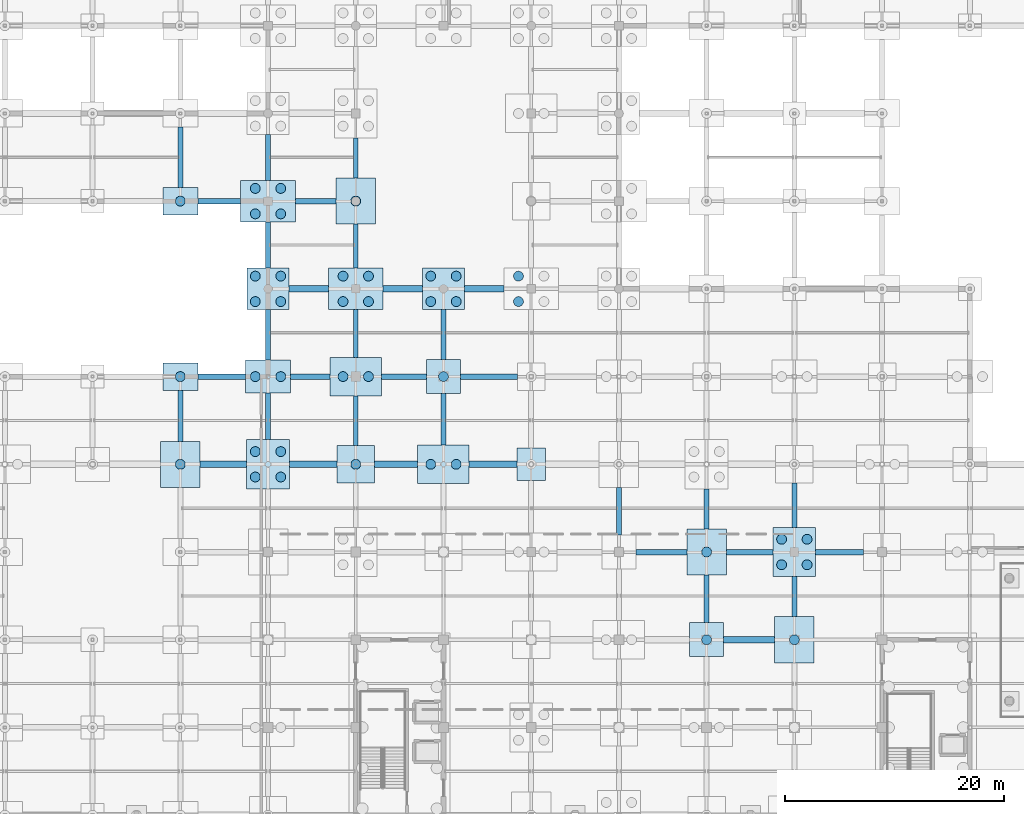
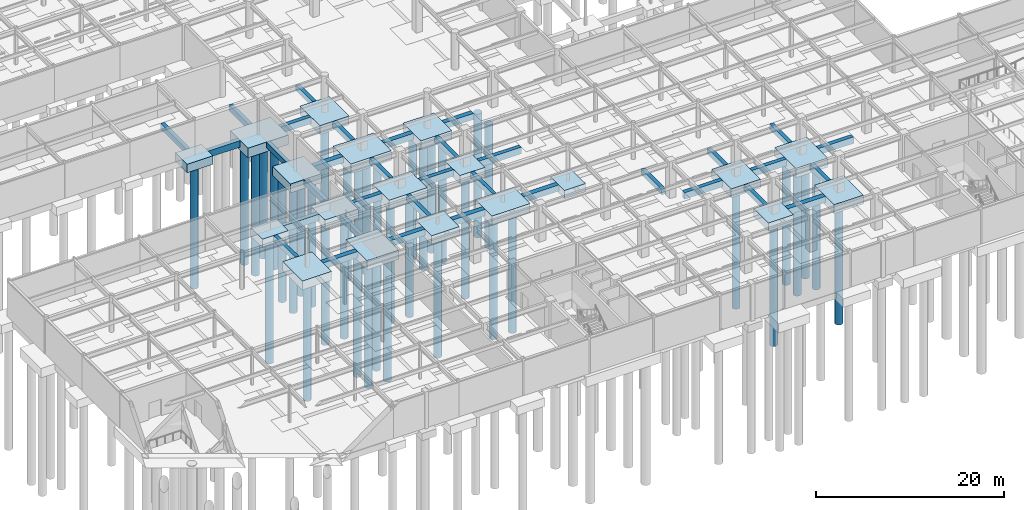
# One storey, part 3 of 105: 53 footings, 41 piles.
"""IFC4 building model written with IfcOpenShell, lengths in metres."""

from ifc_helpers import new_model, si_unit, direction, frame, origin, origin_2d, place, context, subcontext, project, spatial, rectangle, circle, extrude, material, material_profile, profile_set, type_object, element, save


model = new_model("IFC4")

# Units and contexts
model_context = context("Model", 3, precision=1e-05, world=origin(), true_north=direction((0.0, 1.0)))
body_context = subcontext(model_context, "Body", "Model", "MODEL_VIEW")
ifc_project = project(units=[si_unit("LENGTHUNIT", "METRE"), si_unit("AREAUNIT", "SQUARE_METRE"), si_unit("VOLUMEUNIT", "CUBIC_METRE"), si_unit("PLANEANGLEUNIT", "RADIAN"), si_unit("MASSUNIT", "GRAM", prefix="KILO")], contexts=[model_context])

# Site, building, storey
site_placement = place(None, origin())
site = spatial("IfcSite", under=ifc_project, at=site_placement, CompositionType="ELEMENT")
building_placement = place(site_placement, origin())
building = spatial("IfcBuilding", under=site, at=building_placement, Name="Solmirada Galleria", CompositionType="ELEMENT")
storey_placement = place(building_placement, frame((0.0, 0.0, -4.800048828125)))
storey = spatial("IfcBuildingStorey", under=building, at=storey_placement, Name="B1", CompositionType="ELEMENT", Elevation=-4.800048828125)

# Footings
ifc_material_1 = material(Name="Concrete C35/45", Category="concrete")
footing_type_1 = type_object("IfcFootingType", Name="PC-04", PredefinedType="PILE_CAP", material=ifc_material_1)
footing_1_placement = place(storey_placement, frame((88.0, 32.0, -1.10009765625), z_axis=(0.0, 0.0, 1.0), x_axis=(1.0, 0.0, 0.0)))
element("IfcFooting", 1, at=footing_1_placement, inside=storey, type_object=footing_type_1, Name="Pile cap at (88.0, 32.0)", PredefinedType="PILE_CAP", context=body_context, shape_type="SweptSolid", body=[
    extrude(rectangle(XDim=3.39990234375, YDim=3.39990234375, at=origin_2d()), origin(), (0.0, 0.0, 1.0), 1.10009765625),
])
footing_type_2 = type_object("IfcFootingType", Name="PC-05", PredefinedType="PILE_CAP", material=ifc_material_1)
for number, where, z_axis, x_axis, name in (
    (2, (80.0, 48.0, -1.14990234375), (0.0, 0.0, 1.0), (1.0, 0.0, 0.0), "Pile cap at (80.0, 48.0)"),
    (3, (96.0, 48.0, -1.14990234375), (0.0, 0.0, 1.0), (1.0, 0.0, 0.0), "Pile cap at (96.0, 48.0)"),
):
    element("IfcFooting", number, at=place(storey_placement, frame(where, z_axis=z_axis, x_axis=x_axis)), inside=storey, type_object=footing_type_2, Name=name, PredefinedType="PILE_CAP", context=body_context, shape_type="SweptSolid", body=[
        extrude(rectangle(XDim=3.800048828125, YDim=3.800048828125, at=origin_2d()), origin(), (0.0, 0.0, 1.0), 1.14990234375),
    ])
footing_type_3 = type_object("IfcFootingType", Name="PC-06", PredefinedType="PILE_CAP", material=ifc_material_1)
footing_2_placement = place(storey_placement, frame((80.0, 40.0, -1.14990234375), z_axis=(0.0, 0.0, 1.0), x_axis=(1.0, 0.0, 0.0)))
element("IfcFooting", 4, at=footing_2_placement, inside=storey, type_object=footing_type_3, Name="Pile cap at (80.0, 40.0)", PredefinedType="PILE_CAP", context=body_context, shape_type="SweptSolid", body=[
    extrude(rectangle(XDim=4.10009765625, YDim=3.0, at=origin_2d()), origin(), (0.0, 0.0, 1.0), 1.14990234375),
])
footing_type_4 = type_object("IfcFootingType", Name="PC-08", PredefinedType="PILE_CAP", material=ifc_material_1)
for number, where, z_axis, x_axis, name in (
    (5, (88.0, 40.0, -1.19970703125), (0.0, 0.0, 1.0), (1.0, 0.0, 0.0), "Pile cap at (88.0, 40.0)"),
    (6, (96.0, 32.0, -1.19970703125), (0.0, 0.0, 1.0), (1.0, 0.0, 0.0), "Pile cap at (96.0, 32.0)"),
):
    element("IfcFooting", number, at=place(storey_placement, frame(where, z_axis=z_axis, x_axis=x_axis)), inside=storey, type_object=footing_type_4, Name=name, PredefinedType="PILE_CAP", context=body_context, shape_type="SweptSolid", body=[
        extrude(rectangle(XDim=4.699951171875, YDim=3.5, at=origin_2d()), origin(), (0.0, 0.0, 1.0), 1.199951171875),
    ])
footing_type_5 = type_object("IfcFootingType", Name="PC-09", PredefinedType="PILE_CAP", material=ifc_material_1)
for number, where, z_axis, x_axis, name in (
    (7, (80.0, 56.0, -1.25), (0.0, 0.0, 1.0), (1.0, 0.0, 0.0), "Pile cap at (80.0, 56.0)"),
    (8, (88.0, 48.0, -1.25), (0.0, 0.0, 1.0), (1.0, 0.0, 0.0), "Pile cap at (88.0, 48.0)"),
):
    element("IfcFooting", number, at=place(storey_placement, frame(where, z_axis=z_axis, x_axis=x_axis)), inside=storey, type_object=footing_type_5, Name=name, PredefinedType="PILE_CAP", context=body_context, shape_type="SweptSolid", body=[
        extrude(rectangle(XDim=5.0, YDim=3.800048828125, at=origin_2d()), origin(), (0.0, 0.0, 1.0), 1.25),
    ])
footing_type_6 = type_object("IfcFootingType", Name="PC-10", PredefinedType="PILE_CAP", material=ifc_material_1)
for number, where, z_axis, x_axis, name in (
    (9, (72.0, 40.0, -1.10009765625), (0.0, 0.0, 1.0), (1.0, 0.0, 0.0), "Pile cap at (72.0, 40.0)"),
    (10, (72.0, 56.0, -1.10009765625), (0.0, 0.0, 1.0), (1.0, 0.0, 0.0), "Pile cap at (72.0, 56.0)"),
):
    element("IfcFooting", number, at=place(storey_placement, frame(where, z_axis=z_axis, x_axis=x_axis)), inside=storey, type_object=footing_type_6, Name=name, PredefinedType="PILE_CAP", context=body_context, shape_type="SweptSolid", body=[
        extrude(rectangle(XDim=3.199951171875, YDim=2.5, at=origin_2d()), origin(), (0.0, 0.0, 1.0), 1.10009765625),
    ])
footing_type_7 = type_object("IfcFootingType", Name="PC-20", PredefinedType="PILE_CAP", material=ifc_material_1)
for number, where, z_axis, x_axis, name in (
    (11, (96.0, 40.0, -1.0498046875), (0.0, 0.0, 1.0), (1.0, 0.0, 0.0), "Pile cap at (96.0, 40.0)"),
    (12, (120.0, 16.0, -1.0498046875), (0.0, 0.0, 1.0), (1.0, 0.0, 0.0), "Pile cap at (120.0, 16.0)"),
):
    element("IfcFooting", number, at=place(storey_placement, frame(where, z_axis=z_axis, x_axis=x_axis)), inside=storey, type_object=footing_type_7, Name=name, PredefinedType="PILE_CAP", context=body_context, shape_type="SweptSolid", body=[
        extrude(rectangle(XDim=3.10009765625, YDim=3.10009765625, at=origin_2d()), origin(), (0.0, 0.0, 1.0), 1.050048828125),
    ])
footing_type_8 = type_object("IfcFootingType", Name="PC-22", PredefinedType="PILE_CAP", material=ifc_material_1)
footing_3_placement = place(storey_placement, frame((104.0, 32.0, -1.0498046875), z_axis=(0.0, 0.0, 1.0), x_axis=(1.0, 0.0, 0.0)))
element("IfcFooting", 13, at=footing_3_placement, inside=storey, type_object=footing_type_8, Name="Pile cap at (104.0, 32.0)", PredefinedType="PILE_CAP", context=body_context, shape_type="SweptSolid", body=[
    extrude(rectangle(XDim=2.60009765625, YDim=3.0, at=origin_2d()), origin(), (0.0, 0.0, 1.0), 1.050048828125),
])
footing_type_9 = type_object("IfcFootingType", Name="PC-25", PredefinedType="PILE_CAP", material=ifc_material_1)
for number, where, z_axis, x_axis, name in (
    (14, (72.0, 32.0, -1.14990234375), (0.0, 0.0, 1.0), (1.0, 0.0, 0.0), "Pile cap at (72.0, 32.0)"),
    (15, (88.0, 56.0, -1.14990234375), (0.0, 0.0, 1.0), (1.0, 0.0, 0.0), "Pile cap at (88.0, 56.0)"),
    (16, (120.0, 24.0, -1.14990234375), (0.0, 0.0, 1.0), (1.0, 0.0, 0.0), "Pile cap at (120.0, 24.0)"),
    (17, (128.0, 16.0, -1.14990234375), (0.0, 0.0, 1.0), (1.0, 0.0, 0.0), "Pile cap at (128.0, 16.0)"),
):
    element("IfcFooting", number, at=place(storey_placement, frame(where, z_axis=z_axis, x_axis=x_axis)), inside=storey, type_object=footing_type_9, Name=name, PredefinedType="PILE_CAP", context=body_context, shape_type="SweptSolid", body=[
        extrude(rectangle(XDim=3.60009765625, YDim=4.199951171875, at=origin_2d()), origin(), (0.0, 0.0, 1.0), 1.14990234375),
    ])
footing_type_10 = type_object("IfcFootingType", Name="PC-26", PredefinedType="PILE_CAP", material=ifc_material_1)
for number, where, z_axis, x_axis, name in (
    (18, (80.0, 32.0, -1.19970703125), (0.0, 0.0, 1.0), (1.0, 0.0, 0.0), "Pile cap at (80.0, 32.0)"),
    (19, (128.0, 24.0, -1.19970703125), (0.0, 0.0, 1.0), (1.0, 0.0, 0.0), "Pile cap at (128.0, 24.0)"),
):
    element("IfcFooting", number, at=place(storey_placement, frame(where, z_axis=z_axis, x_axis=x_axis)), inside=storey, type_object=footing_type_10, Name=name, PredefinedType="PILE_CAP", context=body_context, shape_type="SweptSolid", body=[
        extrude(rectangle(XDim=3.89990234375, YDim=4.5, at=origin_2d()), origin(), (0.0, 0.0, 1.0), 1.199951171875),
    ])

# Piles
ifc_material_2 = material(Name="Concrete C40/50", Category="concrete")
ifc_material_profile_1 = material_profile(ifc_material_2, circle(Radius=0.449951171875, at=origin_2d()), Name="PILE900")
ifc_profile_set_1 = profile_set([ifc_material_profile_1], Name="Concrete C40/50")
pile_type = type_object("IfcPileType", Name="PILE-900", PredefinedType="BORED", material=ifc_profile_set_1)
pile_1_placement = place(storey_placement, frame((72.0, 32.0, -1.050048828125), z_axis=(0.0, 0.0, -1.0), x_axis=(1.0, 0.0, 0.0)))
element("IfcPile", 20, at=pile_1_placement, inside=storey, type_object=pile_type, Name="Bored pile at (72.00, 32.00)", PredefinedType="BORED", context=body_context, shape_type="SweptSolid", body=[
    extrude(circle(Radius=0.449951171875, at=origin_2d()), origin(), (0.0, 0.0, 1.0), 16.14990234375),
])
for number, where, z_axis, x_axis, name in (
    (21, (72.0, 40.0, -1.0), (0.0, 0.0, -1.0), (1.0, 0.0, 0.0), "Bored pile at (72.00, 40.00)"),
    (22, (72.0, 56.0, -1.0), (0.0, 0.0, -1.0), (1.0, 0.0, 0.0), "Bored pile at (72.00, 56.00)"),
):
    element("IfcPile", number, at=place(storey_placement, frame(where, z_axis=z_axis, x_axis=x_axis)), inside=storey, type_object=pile_type, Name=name, PredefinedType="BORED", context=body_context, shape_type="SweptSolid", body=[
        extrude(circle(Radius=0.449951171875, at=origin_2d()), origin(), (0.0, 0.0, 1.0), 16.199951171875),
    ])
for number, where, z_axis, x_axis, name in (
    (23, (78.840087890625, 30.840087890625, -1.099853515625), (0.0, 0.0, -1.0), (1.0, 0.0, 0.0), "Bored pile at (78.84, 30.84)"),
    (24, (81.159912109375, 30.840087890625, -1.099853515625), (0.0, 0.0, -1.0), (1.0, 0.0, 0.0), "Bored pile at (81.16, 30.84)"),
    (25, (78.840087890625, 33.159912109375, -1.099853515625), (0.0, 0.0, -1.0), (1.0, 0.0, 0.0), "Bored pile at (78.84, 33.16)"),
    (26, (81.159912109375, 33.159912109375, -1.099853515625), (0.0, 0.0, -1.0), (1.0, 0.0, 0.0), "Bored pile at (81.16, 33.16)"),
):
    element("IfcPile", number, at=place(storey_placement, frame(where, z_axis=z_axis, x_axis=x_axis)), inside=storey, type_object=pile_type, Name=name, PredefinedType="BORED", context=body_context, shape_type="SweptSolid", body=[
        extrude(circle(Radius=0.449951171875, at=origin_2d()), origin(), (0.0, 0.0, 1.0), 16.10009765625),
    ])
for number, where, z_axis, x_axis, name in (
    (27, (78.840087890625, 40.0, -1.050048828125), (0.0, 0.0, -1.0), (1.0, 0.0, 0.0), "Bored pile at (78.84, 40.00)"),
    (28, (81.159912109375, 40.0, -1.050048828125), (0.0, 0.0, -1.0), (1.0, 0.0, 0.0), "Bored pile at (81.16, 40.00)"),
    (29, (78.840087890625, 46.840087890625, -1.050048828125), (0.0, 0.0, -1.0), (1.0, 0.0, 0.0), "Bored pile at (78.84, 46.84)"),
    (30, (81.159912109375, 46.840087890625, -1.050048828125), (0.0, 0.0, -1.0), (1.0, 0.0, 0.0), "Bored pile at (81.16, 46.84)"),
    (31, (78.840087890625, 49.159912109375, -1.050048828125), (0.0, 0.0, -1.0), (1.0, 0.0, 0.0), "Bored pile at (78.84, 49.16)"),
    (32, (81.159912109375, 49.159912109375, -1.050048828125), (0.0, 0.0, -1.0), (1.0, 0.0, 0.0), "Bored pile at (81.16, 49.16)"),
):
    element("IfcPile", number, at=place(storey_placement, frame(where, z_axis=z_axis, x_axis=x_axis)), inside=storey, type_object=pile_type, Name=name, PredefinedType="BORED", context=body_context, shape_type="SweptSolid", body=[
        extrude(circle(Radius=0.449951171875, at=origin_2d()), origin(), (0.0, 0.0, 1.0), 16.14990234375),
    ])
for number, where, z_axis, x_axis, name in (
    (33, (78.840087890625, 54.840087890625, -1.14990234375), (0.0, 0.0, -1.0), (1.0, 0.0, 0.0), "Bored pile at (78.84, 54.84)"),
    (34, (81.159912109375, 54.840087890625, -1.14990234375), (0.0, 0.0, -1.0), (1.0, 0.0, 0.0), "Bored pile at (81.16, 54.84)"),
    (35, (78.840087890625, 57.159912109375, -1.14990234375), (0.0, 0.0, -1.0), (1.0, 0.0, 0.0), "Bored pile at (78.84, 57.16)"),
    (36, (81.159912109375, 57.159912109375, -1.14990234375), (0.0, 0.0, -1.0), (1.0, 0.0, 0.0), "Bored pile at (81.16, 57.16)"),
):
    element("IfcPile", number, at=place(storey_placement, frame(where, z_axis=z_axis, x_axis=x_axis)), inside=storey, type_object=pile_type, Name=name, PredefinedType="BORED", context=body_context, shape_type="SweptSolid", body=[
        extrude(circle(Radius=0.449951171875, at=origin_2d()), origin(), (0.0, 0.0, 1.0), 16.050048828125),
    ])
pile_2_placement = place(storey_placement, frame((88.0, 32.0, -1.0), z_axis=(0.0, 0.0, -1.0), x_axis=(1.0, 0.0, 0.0)))
element("IfcPile", 37, at=pile_2_placement, inside=storey, type_object=pile_type, Name="Bored pile at (88.00, 32.00)", PredefinedType="BORED", context=body_context, shape_type="SweptSolid", body=[
    extrude(circle(Radius=0.449951171875, at=origin_2d()), origin(), (0.0, 0.0, 1.0), 16.199951171875),
])
for number, where, z_axis, x_axis, name in (
    (38, (86.840087890625, 40.0, -1.099853515625), (0.0, 0.0, -1.0), (1.0, 0.0, 0.0), "Bored pile at (86.84, 40.00)"),
    (39, (89.159912109375, 40.0, -1.099853515625), (0.0, 0.0, -1.0), (1.0, 0.0, 0.0), "Bored pile at (89.16, 40.00)"),
):
    element("IfcPile", number, at=place(storey_placement, frame(where, z_axis=z_axis, x_axis=x_axis)), inside=storey, type_object=pile_type, Name=name, PredefinedType="BORED", context=body_context, shape_type="SweptSolid", body=[
        extrude(circle(Radius=0.449951171875, at=origin_2d()), origin(), (0.0, 0.0, 1.0), 16.10009765625),
    ])
for number, where, z_axis, x_axis, name in (
    (40, (86.840087890625, 46.840087890625, -1.14990234375), (0.0, 0.0, -1.0), (1.0, 0.0, 0.0), "Bored pile at (86.84, 46.84)"),
    (41, (89.159912109375, 46.840087890625, -1.14990234375), (0.0, 0.0, -1.0), (1.0, 0.0, 0.0), "Bored pile at (89.16, 46.84)"),
    (42, (86.840087890625, 49.159912109375, -1.14990234375), (0.0, 0.0, -1.0), (1.0, 0.0, 0.0), "Bored pile at (86.84, 49.16)"),
    (43, (89.159912109375, 49.159912109375, -1.14990234375), (0.0, 0.0, -1.0), (1.0, 0.0, 0.0), "Bored pile at (89.16, 49.16)"),
):
    element("IfcPile", number, at=place(storey_placement, frame(where, z_axis=z_axis, x_axis=x_axis)), inside=storey, type_object=pile_type, Name=name, PredefinedType="BORED", context=body_context, shape_type="SweptSolid", body=[
        extrude(circle(Radius=0.449951171875, at=origin_2d()), origin(), (0.0, 0.0, 1.0), 16.050048828125),
    ])
pile_3_placement = place(storey_placement, frame((88.0, 56.0, -1.050048828125), z_axis=(0.0, 0.0, -1.0), x_axis=(1.0, 0.0, 0.0)))
element("IfcPile", 44, at=pile_3_placement, inside=storey, type_object=pile_type, Name="Bored pile at (88.00, 56.00)", PredefinedType="BORED", context=body_context, shape_type="SweptSolid", body=[
    extrude(circle(Radius=0.449951171875, at=origin_2d()), origin(), (0.0, 0.0, 1.0), 16.14990234375),
])
for number, where, z_axis, x_axis, name in (
    (45, (94.840087890625, 32.0, -1.099853515625), (0.0, 0.0, -1.0), (1.0, 0.0, 0.0), "Bored pile at (94.84, 32.00)"),
    (46, (97.159912109375, 32.0, -1.099853515625), (0.0, 0.0, -1.0), (1.0, 0.0, 0.0), "Bored pile at (97.16, 32.00)"),
):
    element("IfcPile", number, at=place(storey_placement, frame(where, z_axis=z_axis, x_axis=x_axis)), inside=storey, type_object=pile_type, Name=name, PredefinedType="BORED", context=body_context, shape_type="SweptSolid", body=[
        extrude(circle(Radius=0.449951171875, at=origin_2d()), origin(), (0.0, 0.0, 1.0), 16.10009765625),
    ])
pile_4_placement = place(storey_placement, frame((96.0, 40.0, -0.949951171875), z_axis=(0.0, 0.0, -1.0), x_axis=(1.0, 0.0, 0.0)))
element("IfcPile", 47, at=pile_4_placement, inside=storey, type_object=pile_type, Name="Bored pile at (96.00, 40.00)", PredefinedType="BORED", context=body_context, shape_type="SweptSolid", body=[
    extrude(circle(Radius=0.449951171875, at=origin_2d()), origin(), (0.0, 0.0, 1.0), 16.25),
])
for number, where, z_axis, x_axis, name in (
    (48, (94.840087890625, 46.840087890625, -1.050048828125), (0.0, 0.0, -1.0), (1.0, 0.0, 0.0), "Bored pile at (94.84, 46.84)"),
    (49, (97.159912109375, 46.840087890625, -1.050048828125), (0.0, 0.0, -1.0), (1.0, 0.0, 0.0), "Bored pile at (97.16, 46.84)"),
    (50, (94.840087890625, 49.159912109375, -1.050048828125), (0.0, 0.0, -1.0), (1.0, 0.0, 0.0), "Bored pile at (94.84, 49.16)"),
    (51, (97.159912109375, 49.159912109375, -1.050048828125), (0.0, 0.0, -1.0), (1.0, 0.0, 0.0), "Bored pile at (97.16, 49.16)"),
):
    element("IfcPile", number, at=place(storey_placement, frame(where, z_axis=z_axis, x_axis=x_axis)), inside=storey, type_object=pile_type, Name=name, PredefinedType="BORED", context=body_context, shape_type="SweptSolid", body=[
        extrude(circle(Radius=0.449951171875, at=origin_2d()), origin(), (0.0, 0.0, 1.0), 16.14990234375),
    ])
for number, where, z_axis, x_axis, name in (
    (52, (102.840087890625, 46.840087890625, -1.14990234375), (0.0, 0.0, -1.0), (1.0, 0.0, 0.0), "Bored pile at (102.84, 46.84)"),
    (53, (102.840087890625, 49.159912109375, -1.14990234375), (0.0, 0.0, -1.0), (1.0, 0.0, 0.0), "Bored pile at (102.84, 49.16)"),
):
    element("IfcPile", number, at=place(storey_placement, frame(where, z_axis=z_axis, x_axis=x_axis)), inside=storey, type_object=pile_type, Name=name, PredefinedType="BORED", context=body_context, shape_type="SweptSolid", body=[
        extrude(circle(Radius=0.449951171875, at=origin_2d()), origin(), (0.0, 0.0, 1.0), 16.050048828125),
    ])
pile_5_placement = place(storey_placement, frame((120.0, 16.0, -0.949951171875), z_axis=(0.0, 0.0, -1.0), x_axis=(1.0, 0.0, 0.0)))
element("IfcPile", 54, at=pile_5_placement, inside=storey, type_object=pile_type, Name="Bored pile at (120.00, 16.00)", PredefinedType="BORED", context=body_context, shape_type="SweptSolid", body=[
    extrude(circle(Radius=0.449951171875, at=origin_2d()), origin(), (0.0, 0.0, 1.0), 16.25),
])
for number, where, z_axis, x_axis, name in (
    (55, (120.0, 24.0, -1.050048828125), (0.0, 0.0, -1.0), (1.0, 0.0, 0.0), "Bored pile at (120.00, 24.00)"),
    (56, (128.0, 16.0, -1.050048828125), (0.0, 0.0, -1.0), (1.0, 0.0, 0.0), "Bored pile at (128.00, 16.00)"),
):
    element("IfcPile", number, at=place(storey_placement, frame(where, z_axis=z_axis, x_axis=x_axis)), inside=storey, type_object=pile_type, Name=name, PredefinedType="BORED", context=body_context, shape_type="SweptSolid", body=[
        extrude(circle(Radius=0.449951171875, at=origin_2d()), origin(), (0.0, 0.0, 1.0), 16.14990234375),
    ])
for number, where, z_axis, x_axis, name in (
    (57, (126.840087890625, 22.840087890625, -1.099853515625), (0.0, 0.0, -1.0), (1.0, 0.0, 0.0), "Bored pile at (126.84, 22.84)"),
    (58, (129.159912109375, 22.840087890625, -1.099853515625), (0.0, 0.0, -1.0), (1.0, 0.0, 0.0), "Bored pile at (129.16, 22.84)"),
    (59, (126.840087890625, 25.159912109375, -1.099853515625), (0.0, 0.0, -1.0), (1.0, 0.0, 0.0), "Bored pile at (126.84, 25.16)"),
    (60, (129.159912109375, 25.159912109375, -1.099853515625), (0.0, 0.0, -1.0), (1.0, 0.0, 0.0), "Bored pile at (129.16, 25.16)"),
):
    element("IfcPile", number, at=place(storey_placement, frame(where, z_axis=z_axis, x_axis=x_axis)), inside=storey, type_object=pile_type, Name=name, PredefinedType="BORED", context=body_context, shape_type="SweptSolid", body=[
        extrude(circle(Radius=0.449951171875, at=origin_2d()), origin(), (0.0, 0.0, 1.0), 16.10009765625),
    ])

# Footings
ifc_material_profile_2 = material_profile(ifc_material_1, rectangle(XDim=0.449951171875, YDim=0.75, at=origin_2d()), Name="RC750X450")
ifc_profile_set_2 = profile_set([ifc_material_profile_2], Name="Concrete C35/45")
footing_type_11 = type_object("IfcFootingType", Name="TB-750X450", PredefinedType="FOOTING_BEAM", material=ifc_profile_set_2)
footing_4_placement = place(storey_placement, frame((72.0, 34.10009765625, -0.375), z_axis=(0.0, 1.0, 0.0), x_axis=(-1.0, 0.0, 0.0)))
element("IfcFooting", 61, at=footing_4_placement, inside=storey, type_object=footing_type_11, Name="Foundation tie beam Y (72, 32..40)", PredefinedType="FOOTING_BEAM", context=body_context, shape_type="SweptSolid", body=[
    extrude(rectangle(XDim=0.449951171875, YDim=0.75, at=origin_2d()), origin(), (0.0, 0.0, 1.0), 4.64990234375),
])
footing_5_placement = place(storey_placement, frame((72.0, 57.25, -0.375), z_axis=(0.0, 1.0, 0.0), x_axis=(-1.0, 0.0, 0.0)))
element("IfcFooting", 62, at=footing_5_placement, inside=storey, type_object=footing_type_11, Name="Foundation tie beam Y (72, 56..64)", PredefinedType="FOOTING_BEAM", context=body_context, shape_type="SweptSolid", body=[
    extrude(rectangle(XDim=0.449951171875, YDim=0.75, at=origin_2d()), origin(), (0.0, 0.0, 1.0), 5.5),
])
footing_6_placement = place(storey_placement, frame((80.0, 34.25, -0.375), z_axis=(0.0, 1.0, 0.0), x_axis=(-1.0, 0.0, 0.0)))
element("IfcFooting", 63, at=footing_6_placement, inside=storey, type_object=footing_type_11, Name="Foundation tie beam Y (80, 32..40)", PredefinedType="FOOTING_BEAM", context=body_context, shape_type="SweptSolid", body=[
    extrude(rectangle(XDim=0.449951171875, YDim=0.75, at=origin_2d()), origin(), (0.0, 0.0, 1.0), 4.25),
])
footing_7_placement = place(storey_placement, frame((80.0, 41.5, -0.375), z_axis=(0.0, 1.0, 0.0), x_axis=(-1.0, 0.0, 0.0)))
element("IfcFooting", 64, at=footing_7_placement, inside=storey, type_object=footing_type_11, Name="Foundation tie beam Y (80, 40..48)", PredefinedType="FOOTING_BEAM", context=body_context, shape_type="SweptSolid", body=[
    extrude(rectangle(XDim=0.449951171875, YDim=0.75, at=origin_2d()), origin(), (0.0, 0.0, 1.0), 4.60009765625),
])
for number, where, z_axis, x_axis, name in (
    (65, (80.0, 49.89990234375, -0.375), (0.0, 1.0, 0.0), (-1.0, 0.0, 0.0), "Foundation tie beam Y (80, 48..56)"),
    (66, (80.0, 57.89990234375, -0.375), (0.0, 1.0, 0.0), (-1.0, 0.0, 0.0), "Foundation tie beam Y (80, 56..64)"),
):
    element("IfcFooting", number, at=place(storey_placement, frame(where, z_axis=z_axis, x_axis=x_axis)), inside=storey, type_object=footing_type_11, Name=name, PredefinedType="FOOTING_BEAM", context=body_context, shape_type="SweptSolid", body=[
        extrude(rectangle(XDim=0.449951171875, YDim=0.75, at=origin_2d()), origin(), (0.0, 0.0, 1.0), 4.2001953125),
    ])
footing_8_placement = place(storey_placement, frame((88.0, 33.699951171875, -0.375), z_axis=(0.0, 1.0, 0.0), x_axis=(-1.0, 0.0, 0.0)))
element("IfcFooting", 67, at=footing_8_placement, inside=storey, type_object=footing_type_11, Name="Foundation tie beam Y (88, 32..40)", PredefinedType="FOOTING_BEAM", context=body_context, shape_type="SweptSolid", body=[
    extrude(rectangle(XDim=0.449951171875, YDim=0.75, at=origin_2d()), origin(), (0.0, 0.0, 1.0), 4.550048828125),
])
footing_9_placement = place(storey_placement, frame((88.0, 41.75, -0.375), z_axis=(0.0, 1.0, 0.0), x_axis=(-1.0, 0.0, 0.0)))
element("IfcFooting", 68, at=footing_9_placement, inside=storey, type_object=footing_type_11, Name="Foundation tie beam Y (88, 40..48)", PredefinedType="FOOTING_BEAM", context=body_context, shape_type="SweptSolid", body=[
    extrude(rectangle(XDim=0.449951171875, YDim=0.75, at=origin_2d()), origin(), (0.0, 0.0, 1.0), 4.35009765625),
])
footing_10_placement = place(storey_placement, frame((88.0, 49.89990234375, -0.375), z_axis=(0.0, 1.0, 0.0), x_axis=(-1.0, 0.0, 0.0)))
element("IfcFooting", 69, at=footing_10_placement, inside=storey, type_object=footing_type_11, Name="Foundation tie beam Y (88, 48..56)", PredefinedType="FOOTING_BEAM", context=body_context, shape_type="SweptSolid", body=[
    extrude(rectangle(XDim=0.449951171875, YDim=0.75, at=origin_2d()), origin(), (0.0, 0.0, 1.0), 4.0),
])
footing_11_placement = place(storey_placement, frame((88.0, 58.10009765625, -0.375), z_axis=(0.0, 1.0, 0.0), x_axis=(-1.0, 0.0, 0.0)))
element("IfcFooting", 70, at=footing_11_placement, inside=storey, type_object=footing_type_11, Name="Foundation tie beam Y (88, 56..64)", PredefinedType="FOOTING_BEAM", context=body_context, shape_type="SweptSolid", body=[
    extrude(rectangle(XDim=0.449951171875, YDim=0.75, at=origin_2d()), origin(), (0.0, 0.0, 1.0), 3.64990234375),
])
footing_12_placement = place(storey_placement, frame((96.0, 33.75, -0.375), z_axis=(0.0, 1.0, 0.0), x_axis=(-1.0, 0.0, 0.0)))
element("IfcFooting", 71, at=footing_12_placement, inside=storey, type_object=footing_type_11, Name="Foundation tie beam Y (96, 32..40)", PredefinedType="FOOTING_BEAM", context=body_context, shape_type="SweptSolid", body=[
    extrude(rectangle(XDim=0.449951171875, YDim=0.75, at=origin_2d()), origin(), (0.0, 0.0, 1.0), 4.699951171875),
])
footing_13_placement = place(storey_placement, frame((96.0, 41.550048828125, -0.375), z_axis=(0.0, 1.0, 0.0), x_axis=(-1.0, 0.0, 0.0)))
element("IfcFooting", 72, at=footing_13_placement, inside=storey, type_object=footing_type_11, Name="Foundation tie beam Y (96, 40..48)", PredefinedType="FOOTING_BEAM", context=body_context, shape_type="SweptSolid", body=[
    extrude(rectangle(XDim=0.449951171875, YDim=0.75, at=origin_2d()), origin(), (0.0, 0.0, 1.0), 4.550048828125),
])
for number, where, z_axis, x_axis, name in (
    (73, (112.0, 25.550048828125, -0.375), (0.0, 1.0, 0.0), (-1.0, 0.0, 0.0), "Foundation tie beam Y (112, 24..32)"),
    (74, (120.0, 17.550048828125, -0.375), (0.0, 1.0, 0.0), (-1.0, 0.0, 0.0), "Foundation tie beam Y (120, 16..24)"),
):
    element("IfcFooting", number, at=place(storey_placement, frame(where, z_axis=z_axis, x_axis=x_axis)), inside=storey, type_object=footing_type_11, Name=name, PredefinedType="FOOTING_BEAM", context=body_context, shape_type="SweptSolid", body=[
        extrude(rectangle(XDim=0.449951171875, YDim=0.75, at=origin_2d()), origin(), (0.0, 0.0, 1.0), 4.349853515625),
    ])
for number, where, z_axis, x_axis, name in (
    (75, (120.0, 26.10009765625, -0.375), (0.0, 1.0, 0.0), (-1.0, 0.0, 0.0), "Foundation tie beam Y (120, 24..32)"),
    (76, (128.0, 18.10009765625, -0.375), (0.0, 1.0, 0.0), (-1.0, 0.0, 0.0), "Foundation tie beam Y (128, 16..24)"),
):
    element("IfcFooting", number, at=place(storey_placement, frame(where, z_axis=z_axis, x_axis=x_axis)), inside=storey, type_object=footing_type_11, Name=name, PredefinedType="FOOTING_BEAM", context=body_context, shape_type="SweptSolid", body=[
        extrude(rectangle(XDim=0.449951171875, YDim=0.75, at=origin_2d()), origin(), (0.0, 0.0, 1.0), 3.64990234375),
    ])
footing_14_placement = place(storey_placement, frame((128.0, 26.25, -0.375), z_axis=(0.0, 1.0, 0.0), x_axis=(-1.0, 0.0, 0.0)))
element("IfcFooting", 77, at=footing_14_placement, inside=storey, type_object=footing_type_11, Name="Foundation tie beam Y (128, 24..32)", PredefinedType="FOOTING_BEAM", context=body_context, shape_type="SweptSolid", body=[
    extrude(rectangle(XDim=0.449951171875, YDim=0.75, at=origin_2d()), origin(), (0.0, 0.0, 1.0), 4.050048828125),
])
ifc_material_profile_3 = material_profile(ifc_material_1, rectangle(XDim=0.60009765625, YDim=0.800048828125, at=origin_2d()), Name="RC800X600")
ifc_profile_set_3 = profile_set([ifc_material_profile_3], Name="Concrete C35/45")
footing_type_12 = type_object("IfcFootingType", Name="TB-800X600", PredefinedType="FOOTING_BEAM", material=ifc_profile_set_3)
footing_15_placement = place(storey_placement, frame((73.800048828125, 32.0, -0.39990234375), z_axis=(1.0, 0.0, 0.0), x_axis=(0.0, 1.0, 0.0)))
element("IfcFooting", 78, at=footing_15_placement, inside=storey, type_object=footing_type_12, Name="Foundation tie beam X (72..80, 32)", PredefinedType="FOOTING_BEAM", context=body_context, shape_type="SweptSolid", body=[
    extrude(rectangle(XDim=0.60009765625, YDim=0.800048828125, at=origin_2d()), origin(), (0.0, 0.0, 1.0), 4.25),
])
footing_16_placement = place(storey_placement, frame((81.949951171875, 32.0, -0.39990234375), z_axis=(1.0, 0.0, 0.0), x_axis=(0.0, 1.0, 0.0)))
element("IfcFooting", 79, at=footing_16_placement, inside=storey, type_object=footing_type_12, Name="Foundation tie beam X (80..88, 32)", PredefinedType="FOOTING_BEAM", context=body_context, shape_type="SweptSolid", body=[
    extrude(rectangle(XDim=0.60009765625, YDim=0.800048828125, at=origin_2d()), origin(), (0.0, 0.0, 1.0), 4.35009765625),
])
footing_17_placement = place(storey_placement, frame((81.89990234375, 48.0, -0.39990234375), z_axis=(1.0, 0.0, 0.0), x_axis=(0.0, 1.0, 0.0)))
element("IfcFooting", 80, at=footing_17_placement, inside=storey, type_object=footing_type_12, Name="Foundation tie beam X (80..88, 48)", PredefinedType="FOOTING_BEAM", context=body_context, shape_type="SweptSolid", body=[
    extrude(rectangle(XDim=0.60009765625, YDim=0.800048828125, at=origin_2d()), origin(), (0.0, 0.0, 1.0), 3.60009765625),
])
footing_18_placement = place(storey_placement, frame((89.699951171875, 32.0, -0.39990234375), z_axis=(1.0, 0.0, 0.0), x_axis=(0.0, 1.0, 0.0)))
element("IfcFooting", 81, at=footing_18_placement, inside=storey, type_object=footing_type_12, Name="Foundation tie beam X (88..96, 32)", PredefinedType="FOOTING_BEAM", context=body_context, shape_type="SweptSolid", body=[
    extrude(rectangle(XDim=0.60009765625, YDim=0.800048828125, at=origin_2d()), origin(), (0.0, 0.0, 1.0), 3.949951171875),
])
footing_19_placement = place(storey_placement, frame((90.5, 48.0, -0.39990234375), z_axis=(1.0, 0.0, 0.0), x_axis=(0.0, 1.0, 0.0)))
element("IfcFooting", 82, at=footing_19_placement, inside=storey, type_object=footing_type_12, Name="Foundation tie beam X (88..96, 48)", PredefinedType="FOOTING_BEAM", context=body_context, shape_type="SweptSolid", body=[
    extrude(rectangle(XDim=0.60009765625, YDim=0.800048828125, at=origin_2d()), origin(), (0.0, 0.0, 1.0), 3.60009765625),
])
footing_20_placement = place(storey_placement, frame((98.35009765625, 32.0, -0.39990234375), z_axis=(1.0, 0.0, 0.0), x_axis=(0.0, 1.0, 0.0)))
element("IfcFooting", 83, at=footing_20_placement, inside=storey, type_object=footing_type_12, Name="Foundation tie beam X (96..104, 32)", PredefinedType="FOOTING_BEAM", context=body_context, shape_type="SweptSolid", body=[
    extrude(rectangle(XDim=0.60009765625, YDim=0.800048828125, at=origin_2d()), origin(), (0.0, 0.0, 1.0), 4.349853515625),
])
footing_21_placement = place(storey_placement, frame((97.89990234375, 48.0, -0.39990234375), z_axis=(1.0, 0.0, 0.0), x_axis=(0.0, 1.0, 0.0)))
element("IfcFooting", 84, at=footing_21_placement, inside=storey, type_object=footing_type_12, Name="Foundation tie beam X (96..104, 48)", PredefinedType="FOOTING_BEAM", context=body_context, shape_type="SweptSolid", body=[
    extrude(rectangle(XDim=0.60009765625, YDim=0.800048828125, at=origin_2d()), origin(), (0.0, 0.0, 1.0), 3.60009765625),
])
footing_22_placement = place(storey_placement, frame((121.550048828125, 16.0, -0.39990234375), z_axis=(1.0, 0.0, 0.0), x_axis=(0.0, 1.0, 0.0)))
element("IfcFooting", 85, at=footing_22_placement, inside=storey, type_object=footing_type_12, Name="Foundation tie beam X (120..128, 16)", PredefinedType="FOOTING_BEAM", context=body_context, shape_type="SweptSolid", body=[
    extrude(rectangle(XDim=0.60009765625, YDim=0.800048828125, at=origin_2d()), origin(), (0.0, 0.0, 1.0), 4.64990234375),
])
ifc_material_profile_4 = material_profile(ifc_material_1, rectangle(XDim=0.5, YDim=0.85009765625, at=origin_2d()), Name="RC850X500")
ifc_profile_set_4 = profile_set([ifc_material_profile_4], Name="Concrete C35/45")
footing_type_13 = type_object("IfcFootingType", Name="TB-850X500", PredefinedType="FOOTING_BEAM", material=ifc_profile_set_4)
footing_23_placement = place(storey_placement, frame((73.60009765625, 40.0, -0.425048828125), z_axis=(1.0, 0.0, 0.0), x_axis=(0.0, 1.0, 0.0)))
element("IfcFooting", 86, at=footing_23_placement, inside=storey, type_object=footing_type_13, Name="Foundation tie beam X (72..80, 40)", PredefinedType="FOOTING_BEAM", context=body_context, shape_type="SweptSolid", body=[
    extrude(rectangle(XDim=0.5, YDim=0.85009765625, at=origin_2d()), origin(), (0.0, 0.0, 1.0), 4.349853515625),
])
footing_24_placement = place(storey_placement, frame((73.60009765625, 56.0, -0.425048828125), z_axis=(1.0, 0.0, 0.0), x_axis=(0.0, 1.0, 0.0)))
element("IfcFooting", 87, at=footing_24_placement, inside=storey, type_object=footing_type_13, Name="Foundation tie beam X (72..80, 56)", PredefinedType="FOOTING_BEAM", context=body_context, shape_type="SweptSolid", body=[
    extrude(rectangle(XDim=0.5, YDim=0.85009765625, at=origin_2d()), origin(), (0.0, 0.0, 1.0), 3.89990234375),
])
footing_25_placement = place(storey_placement, frame((82.050048828125, 40.0, -0.425048828125), z_axis=(1.0, 0.0, 0.0), x_axis=(0.0, 1.0, 0.0)))
element("IfcFooting", 88, at=footing_25_placement, inside=storey, type_object=footing_type_13, Name="Foundation tie beam X (80..88, 40)", PredefinedType="FOOTING_BEAM", context=body_context, shape_type="SweptSolid", body=[
    extrude(rectangle(XDim=0.5, YDim=0.85009765625, at=origin_2d()), origin(), (0.0, 0.0, 1.0), 3.599853515625),
])
footing_26_placement = place(storey_placement, frame((82.5, 56.0, -0.425048828125), z_axis=(1.0, 0.0, 0.0), x_axis=(0.0, 1.0, 0.0)))
element("IfcFooting", 89, at=footing_26_placement, inside=storey, type_object=footing_type_13, Name="Foundation tie beam X (80..88, 56)", PredefinedType="FOOTING_BEAM", context=body_context, shape_type="SweptSolid", body=[
    extrude(rectangle(XDim=0.5, YDim=0.85009765625, at=origin_2d()), origin(), (0.0, 0.0, 1.0), 3.699951171875),
])
footing_27_placement = place(storey_placement, frame((90.35009765625, 40.0, -0.425048828125), z_axis=(1.0, 0.0, 0.0), x_axis=(0.0, 1.0, 0.0)))
element("IfcFooting", 90, at=footing_27_placement, inside=storey, type_object=footing_type_13, Name="Foundation tie beam X (88..96, 40)", PredefinedType="FOOTING_BEAM", context=body_context, shape_type="SweptSolid", body=[
    extrude(rectangle(XDim=0.5, YDim=0.85009765625, at=origin_2d()), origin(), (0.0, 0.0, 1.0), 4.099853515625),
])
footing_28_placement = place(storey_placement, frame((97.550048828125, 40.0, -0.425048828125), z_axis=(1.0, 0.0, 0.0), x_axis=(0.0, 1.0, 0.0)))
element("IfcFooting", 91, at=footing_28_placement, inside=storey, type_object=footing_type_13, Name="Foundation tie beam X (96..104, 40)", PredefinedType="FOOTING_BEAM", context=body_context, shape_type="SweptSolid", body=[
    extrude(rectangle(XDim=0.5, YDim=0.85009765625, at=origin_2d()), origin(), (0.0, 0.0, 1.0), 5.199951171875),
])
footing_29_placement = place(storey_placement, frame((113.550048828125, 24.0, -0.425048828125), z_axis=(1.0, 0.0, 0.0), x_axis=(0.0, 1.0, 0.0)))
element("IfcFooting", 92, at=footing_29_placement, inside=storey, type_object=footing_type_13, Name="Foundation tie beam X (112..120, 24)", PredefinedType="FOOTING_BEAM", context=body_context, shape_type="SweptSolid", body=[
    extrude(rectangle(XDim=0.5, YDim=0.85009765625, at=origin_2d()), origin(), (0.0, 0.0, 1.0), 4.64990234375),
])
footing_30_placement = place(storey_placement, frame((121.800048828125, 24.0, -0.425048828125), z_axis=(1.0, 0.0, 0.0), x_axis=(0.0, 1.0, 0.0)))
element("IfcFooting", 93, at=footing_30_placement, inside=storey, type_object=footing_type_13, Name="Foundation tie beam X (120..128, 24)", PredefinedType="FOOTING_BEAM", context=body_context, shape_type="SweptSolid", body=[
    extrude(rectangle(XDim=0.5, YDim=0.85009765625, at=origin_2d()), origin(), (0.0, 0.0, 1.0), 4.25),
])
footing_31_placement = place(storey_placement, frame((129.949951171875, 24.0, -0.425048828125), z_axis=(1.0, 0.0, 0.0), x_axis=(0.0, 1.0, 0.0)))
element("IfcFooting", 94, at=footing_31_placement, inside=storey, type_object=footing_type_13, Name="Foundation tie beam X (128..136, 24)", PredefinedType="FOOTING_BEAM", context=body_context, shape_type="SweptSolid", body=[
    extrude(rectangle(XDim=0.5, YDim=0.85009765625, at=origin_2d()), origin(), (0.0, 0.0, 1.0), 4.35009765625),
])

save(model, "model.ifc")
